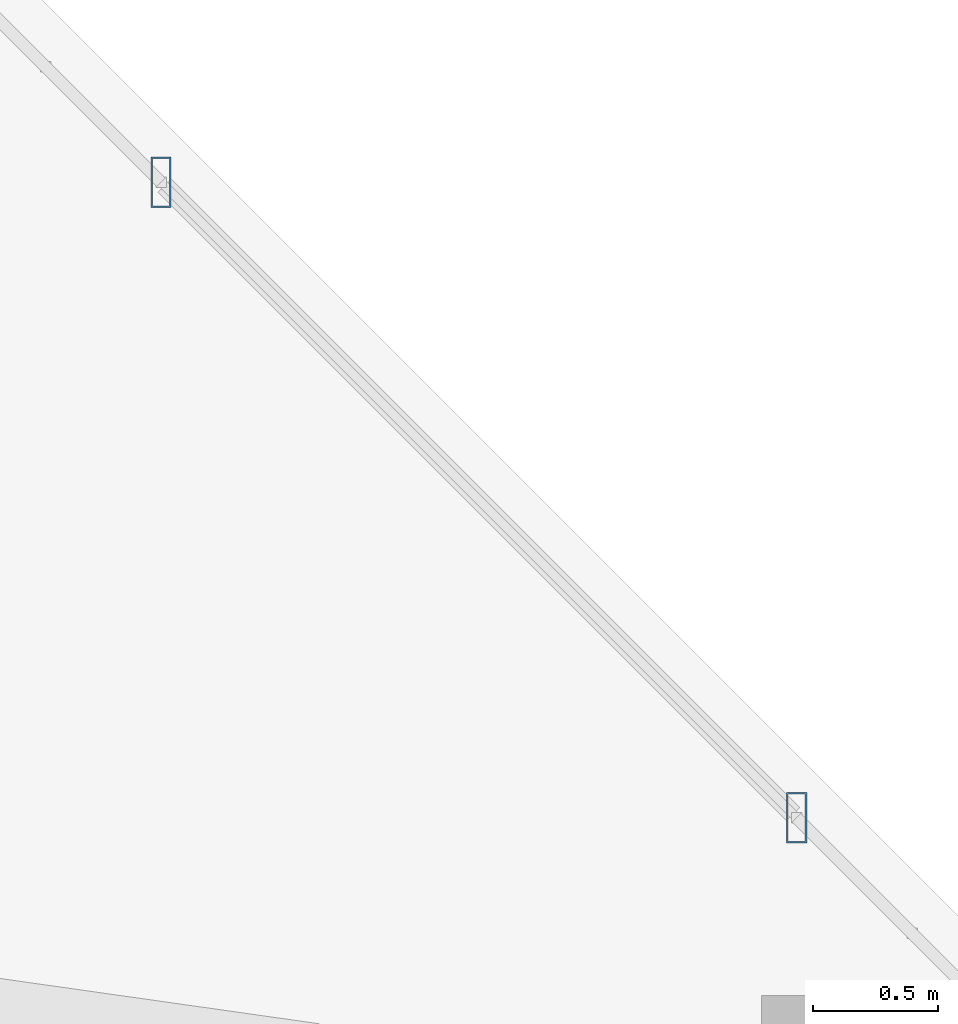
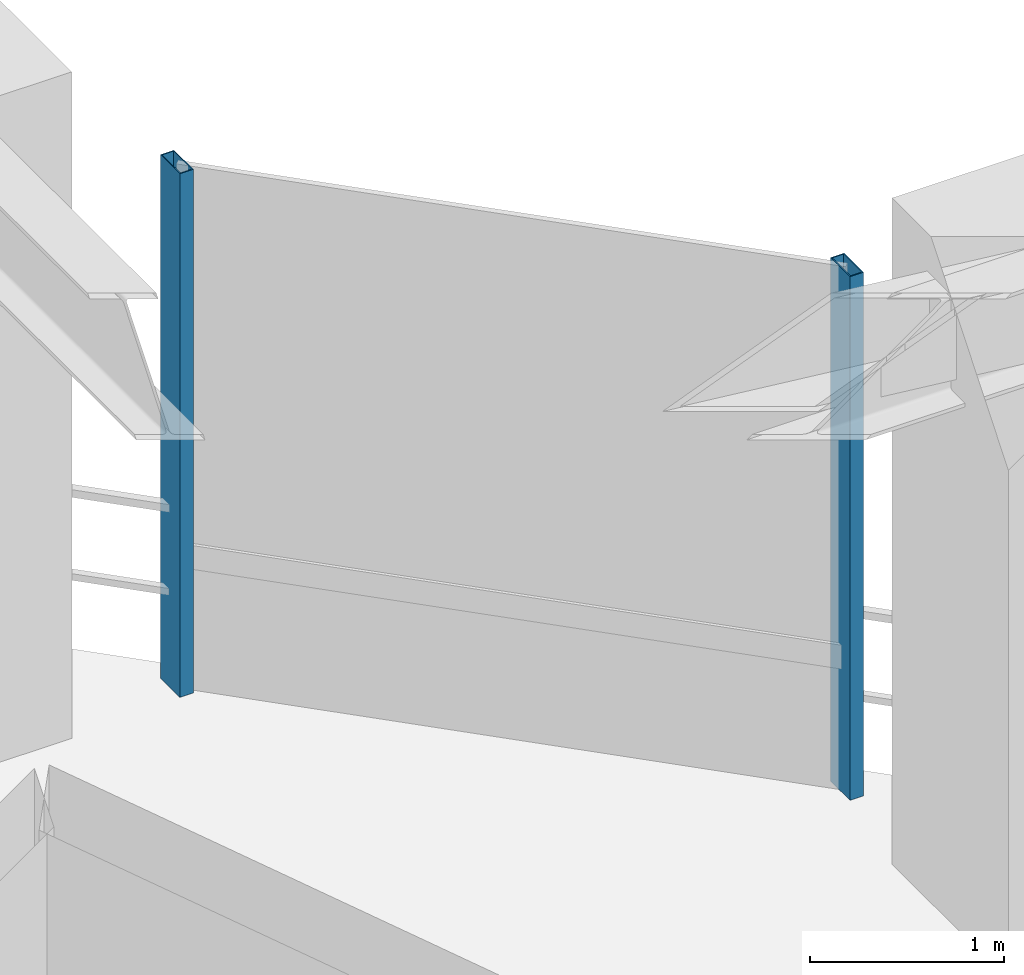
# One storey, part 16 of 45: 2 members, 1 element without a shape of its own.
"""IFC4 building model written with IfcOpenShell, lengths in metres."""

from ifc_helpers import new_model, si_unit, direction, frame, origin, origin_2d, place, context, subcontext, project, spatial, hollow_rectangle, extrude, material, material_profile, profile_set, type_object, element, aggregate, save


model = new_model("IFC4")

# Units and contexts
model_context = context("Model", 3, precision=1e-05, world=origin(), true_north=direction((0.0, 1.0)))
body_context = subcontext(model_context, "Body", "Model", "MODEL_VIEW")
ifc_project = project(units=[si_unit("LENGTHUNIT", "METRE"), si_unit("AREAUNIT", "SQUARE_METRE"), si_unit("VOLUMEUNIT", "CUBIC_METRE"), si_unit("PLANEANGLEUNIT", "RADIAN"), si_unit("MASSUNIT", "GRAM", prefix="KILO")], contexts=[model_context])

# Site, building, storey
site_placement = place(None, origin())
site = spatial("IfcSite", under=ifc_project, at=site_placement, CompositionType="ELEMENT")
building_placement = place(site_placement, origin())
building = spatial("IfcBuilding", under=site, at=building_placement, Name="Thornwick Lancets Civic Towers", CompositionType="ELEMENT")
storey_placement = place(building_placement, frame((0.0, 0.0, 141.300048828125)))
storey = spatial("IfcBuildingStorey", under=building, at=storey_placement, Name="L37", CompositionType="ELEMENT", Elevation=141.300048828125)

# Curtain wall, members
ifc_material_1 = material(Name="Mid-zone chamfered-corner unitised glass curtain wall", Category="glass")
curtain_wall_type = type_object("IfcCurtainWallType", Name="CW_SYS_04", PredefinedType="NOTDEFINED", material=ifc_material_1)
curtain_wall_placement = place(storey_placement, origin())
curtain_wall = element("IfcCurtainWall", 1, at=curtain_wall_placement, inside=storey, type_object=curtain_wall_type, Name="L37 Curtain Wall CW-L37-A-E3", PredefinedType="NOTDEFINED")
ifc_material_2 = material(Name="Thermally broken bronze aluminium S355", Category="steel")
ifc_material_profile = material_profile(ifc_material_2, hollow_rectangle(XDim=0.080078125, YDim=0.199951171875, WallThickness=0.006103515625, at=origin_2d()), Name="RHS 200x80x6")
ifc_profile_set = profile_set([ifc_material_profile], Name="Thermally broken bronze aluminium S355")
member_type = type_object("IfcMemberType", Name="CW_MUL_200", PredefinedType="MULLION", material=ifc_profile_set)
member_1_placement = place(storey_placement, frame((42.339599609375, 41.3076171875, 0.0), z_axis=(0.0, 0.0, 1.0), x_axis=(1.0, 0.0, 0.0)))
member_1 = element("IfcMember", 2, at=member_1_placement, type_object=member_type, Name="CW-L37-A-E3 Mullion 0", PredefinedType="MULLION", context=body_context, shape_type="SweptSolid", body=[
    extrude(hollow_rectangle(XDim=0.080078125, YDim=0.199951171875, WallThickness=0.006103515625, at=origin_2d()), origin(), (0.0, 0.0, 1.0), 3.300048828125),
])
member_2_placement = place(storey_placement, frame((39.8076171875, 43.839599609375, 0.0), z_axis=(0.0, 0.0, 1.0), x_axis=(1.0, 0.0, 0.0)))
member_2 = element("IfcMember", 3, at=member_2_placement, type_object=member_type, Name="CW-L37-A-E3 Mullion 1", PredefinedType="MULLION", context=body_context, shape_type="SweptSolid", body=[
    extrude(hollow_rectangle(XDim=0.080078125, YDim=0.199951171875, WallThickness=0.006103515625, at=origin_2d()), origin(), (0.0, 0.0, 1.0), 3.300048828125),
])
aggregate(curtain_wall, [member_1, member_2])

save(model, "model.ifc")
